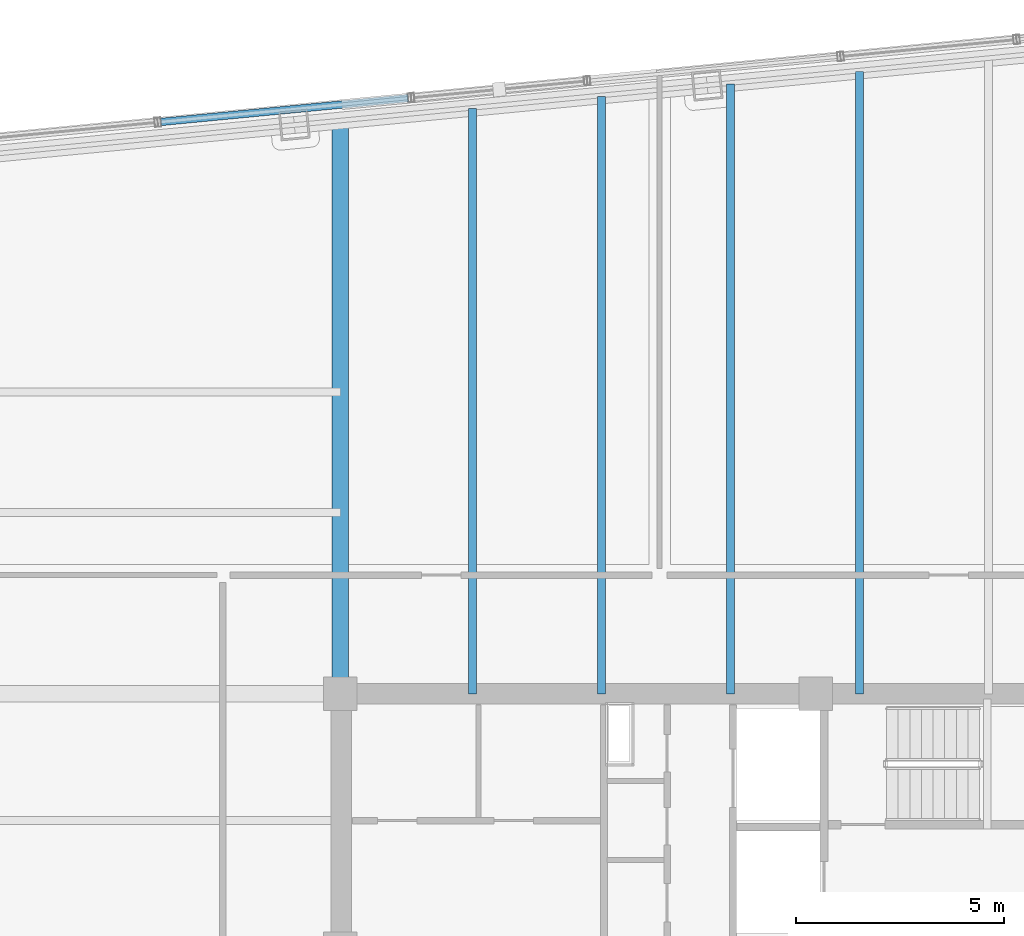
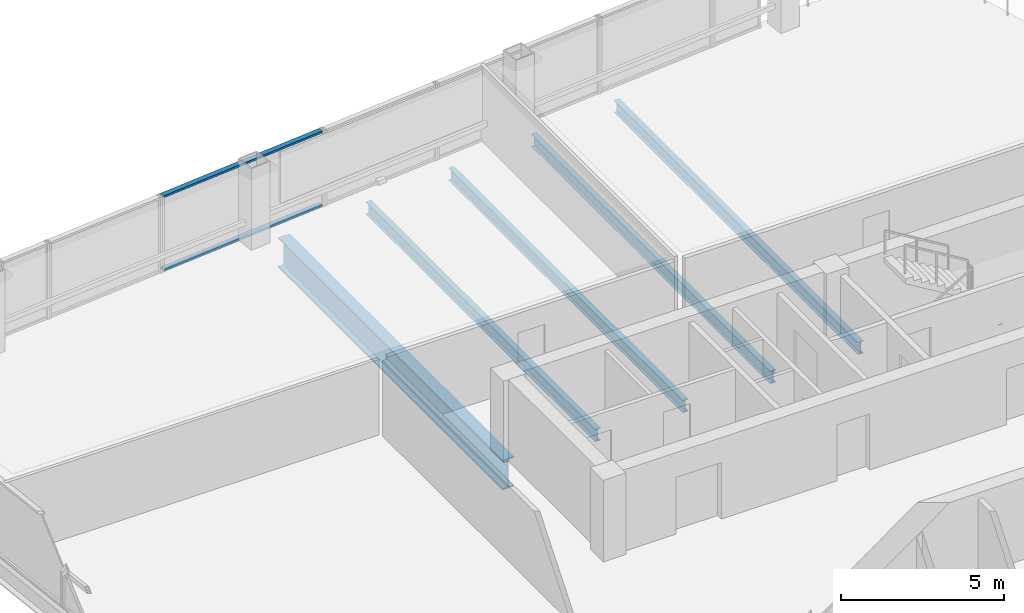
# One storey, part 18 of 28: 5 beams, 2 members, 1 element without a shape of its own.
"""IFC4 building model written with IfcOpenShell, lengths in metres."""

from ifc_helpers import new_model, si_unit, direction, frame, origin, origin_2d, place, context, subcontext, project, spatial, hollow_rectangle, i_section, extrude, material, layer, layer_set, material_profile, profile_set, type_object, element, aggregate, save


model = new_model("IFC4")

# Units and contexts
model_context = context("Model", 3, precision=1e-05, world=origin(), true_north=direction((0.0, 1.0)))
body_context = subcontext(model_context, "Body", "Model", "MODEL_VIEW")
ifc_project = project(units=[si_unit("LENGTHUNIT", "METRE"), si_unit("AREAUNIT", "SQUARE_METRE"), si_unit("VOLUMEUNIT", "CUBIC_METRE"), si_unit("PLANEANGLEUNIT", "RADIAN"), si_unit("MASSUNIT", "GRAM", prefix="KILO")], contexts=[model_context])

# Site, building, storey
site_placement = place(None, origin())
site = spatial("IfcSite", under=ifc_project, at=site_placement, CompositionType="ELEMENT")
building_placement = place(site_placement, origin())
building = spatial("IfcBuilding", under=site, at=building_placement, Name="Qhalaya Broadcast Tower", CompositionType="ELEMENT")
storey_placement = place(building_placement, frame((0.0, 0.0, 159.199951171875)))
storey = spatial("IfcBuildingStorey", under=building, at=storey_placement, Name="L46", CompositionType="ELEMENT", Elevation=159.199951171875)

# Beams
ifc_material_1 = material(Name="Structural Steel ASTM A992 Grade 50", Category="steel")
ifc_material_profile_1 = material_profile(ifc_material_1, i_section(OverallWidth=0.19189453125, OverallDepth=0.462890625, WebThickness=0.010498046875, FlangeThickness=0.017578125, at=origin_2d()), Name="W18X60")
ifc_profile_set_1 = profile_set([ifc_material_profile_1], Name="Structural Steel ASTM A992 Grade 50")
beam_type_1 = type_object("IfcBeamType", Name="Composite Floor Joist J03", PredefinedType="JOIST", material=ifc_profile_set_1)
beam_1_placement = place(storey_placement, frame((-6.199951171875, 9.949951171875, -0.451416015625), z_axis=(0.0, 1.0, 0.0), x_axis=(-1.0, 0.0, 0.0)))
element("IfcBeam", 1, at=beam_1_placement, inside=storey, type_object=beam_type_1, Name="L46 J03 L46-JNN1-1", PredefinedType="JOIST", context=body_context, shape_type="SweptSolid", body=[
    extrude(i_section(OverallWidth=0.19189453125, OverallDepth=0.462890625, WebThickness=0.010498046875, FlangeThickness=0.017578125, at=origin_2d()), origin(), (0.0, 0.0, 1.0), 14.059326171875),
])
beam_2_placement = place(storey_placement, frame((-3.10009765625, 9.949951171875, -0.451416015625), z_axis=(0.0, 1.0, 0.0), x_axis=(-1.0, 0.0, 0.0)))
element("IfcBeam", 2, at=beam_2_placement, inside=storey, type_object=beam_type_1, Name="L46 J03 L46-JNN2-1", PredefinedType="JOIST", context=body_context, shape_type="SweptSolid", body=[
    extrude(i_section(OverallWidth=0.19189453125, OverallDepth=0.462890625, WebThickness=0.010498046875, FlangeThickness=0.017578125, at=origin_2d()), origin(), (0.0, 0.0, 1.0), 14.35791015625),
])
beam_3_placement = place(storey_placement, frame((0.0, 9.949951171875, -0.451416015625), z_axis=(0.0, 1.0, 0.0), x_axis=(-1.0, 0.0, 0.0)))
element("IfcBeam", 3, at=beam_3_placement, inside=storey, type_object=beam_type_1, Name="L46 J03 L46-JNN3-1", PredefinedType="JOIST", context=body_context, shape_type="SweptSolid", body=[
    extrude(i_section(OverallWidth=0.19189453125, OverallDepth=0.462890625, WebThickness=0.010498046875, FlangeThickness=0.017578125, at=origin_2d()), origin(), (0.0, 0.0, 1.0), 14.65625),
])
beam_4_placement = place(storey_placement, frame((3.10009765625, 9.949951171875, -0.451416015625), z_axis=(0.0, 1.0, 0.0), x_axis=(-1.0, 0.0, 0.0)))
element("IfcBeam", 4, at=beam_4_placement, inside=storey, type_object=beam_type_1, Name="L46 J03 L46-JNN4-1", PredefinedType="JOIST", context=body_context, shape_type="SweptSolid", body=[
    extrude(i_section(OverallWidth=0.19189453125, OverallDepth=0.462890625, WebThickness=0.010498046875, FlangeThickness=0.017578125, at=origin_2d()), origin(), (0.0, 0.0, 1.0), 14.954833984375),
])
ifc_material_profile_2 = material_profile(ifc_material_1, i_section(OverallWidth=0.404052734375, OverallDepth=1.117919921875, WebThickness=0.026123046875, FlangeThickness=0.044921875, at=origin_2d()), Name="W44X335")
ifc_profile_set_2 = profile_set([ifc_material_profile_2], Name="Structural Steel ASTM A992 Grade 50")
beam_type_2 = type_object("IfcBeamType", Name="Podium Long-Span Primary Girder PG1", PredefinedType="USERDEFINED", material=ifc_profile_set_2)
beam_5_placement = place(storey_placement, frame((-9.375, 9.949951171875, -0.779052734375), z_axis=(0.0, 1.0, 0.0), x_axis=(-1.0, 0.0, 0.0)))
element("IfcBeam", 5, at=beam_5_placement, inside=storey, type_object=beam_type_2, Name="L46 PG1 L46-PGXN1-1", ObjectType="GIRDER", PredefinedType="USERDEFINED", context=body_context, shape_type="SweptSolid", body=[
    extrude(i_section(OverallWidth=0.404052734375, OverallDepth=1.117919921875, WebThickness=0.026123046875, FlangeThickness=0.044921875, at=origin_2d()), origin(), (0.0, 0.0, 1.0), 13.753662109375),
])

# Curtain wall, members
ifc_material_2 = material(Name="Fired Architectural Terracotta", Category="masonry")
ifc_layer = layer(ifc_material_2, 0.219970703125, Name="Fired Architectural Terracotta")
ifc_layer_set = layer_set([ifc_layer], Name="Fired Architectural Terracotta")
curtain_wall_type = type_object("IfcCurtainWallType", Name="Block-Cap Unitised Terracotta Spandrel Wall CW-07", PredefinedType="NOTDEFINED", material=ifc_layer_set)
curtain_wall_placement = place(storey_placement, origin())
curtain_wall = element("IfcCurtainWall", 6, at=curtain_wall_placement, inside=storey, type_object=curtain_wall_type, Name="L46 Unitised Curtain Wall L46-CW-N5", PredefinedType="NOTDEFINED")
ifc_material_3 = material(Name="Anodised Aluminium 6063-T6", Category="aluminium")
ifc_material_profile_3 = material_profile(ifc_material_3, hollow_rectangle(XDim=0.074951171875, YDim=0.179931640625, WallThickness=0.00390625, at=origin_2d()), Name="ALU-TRN 75x180x4")
ifc_profile_set_3 = profile_set([ifc_material_profile_3], Name="Anodised Aluminium 6063-T6")
member_type = type_object("IfcMemberType", Name="Unitised Curtain-Wall Transom T01", PredefinedType="USERDEFINED", material=ifc_profile_set_3)
member_1_placement = place(storey_placement, frame((-7.74560546875, 24.26220703125, 0.03759765625), z_axis=(-0.99539822785, -0.095824673201, 0.0), x_axis=(0.0, 0.0, 1.0)))
member_1 = element("IfcMember", 7, at=member_1_placement, type_object=member_type, Name="CW-07 transom 1.1", ObjectType="TRANSOM", PredefinedType="USERDEFINED", context=body_context, shape_type="SweptSolid", body=[
    extrude(hollow_rectangle(XDim=0.074951171875, YDim=0.179931640625, WallThickness=0.00390625, at=origin_2d()), origin(), (0.0, 0.0, 1.0), 5.966796875),
])
member_2_placement = place(storey_placement, frame((-7.74560546875, 24.26220703125, 2.79248046875), z_axis=(-0.99539822785, -0.095824673201, 0.0), x_axis=(0.0, 0.0, 1.0)))
member_2 = element("IfcMember", 8, at=member_2_placement, type_object=member_type, Name="CW-07 transom 1.2", ObjectType="TRANSOM", PredefinedType="USERDEFINED", context=body_context, shape_type="SweptSolid", body=[
    extrude(hollow_rectangle(XDim=0.074951171875, YDim=0.179931640625, WallThickness=0.00390625, at=origin_2d()), origin(), (0.0, 0.0, 1.0), 5.966796875),
])
aggregate(curtain_wall, [member_1, member_2])

save(model, "model.ifc")
